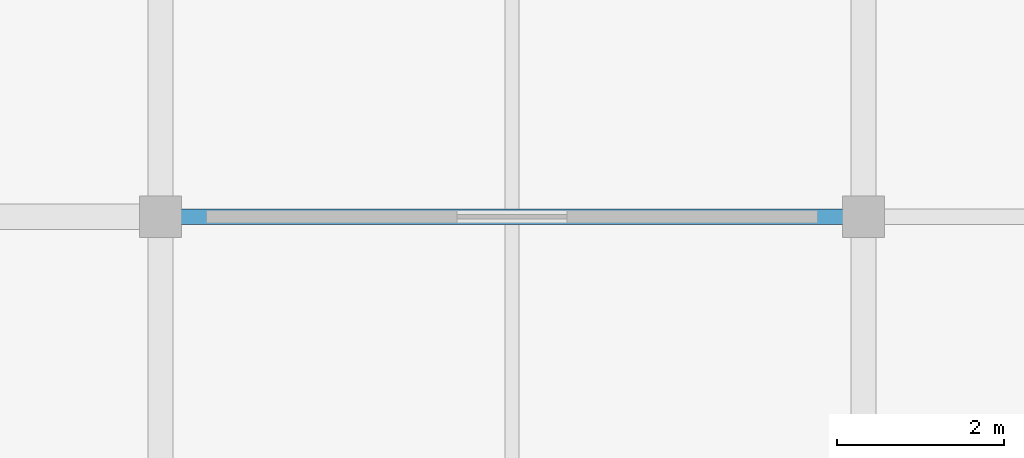
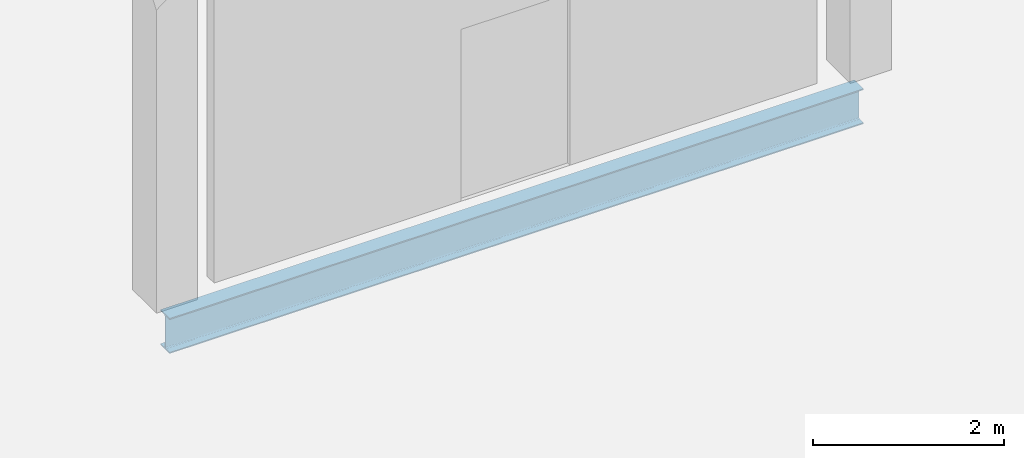
# One storey, part 78 of 109: 1 beam.
"""IFC4 building model written with IfcOpenShell, lengths in metres."""

from ifc_helpers import new_model, si_unit, direction, frame, origin, origin_2d, place, context, subcontext, project, spatial, i_section, extrude, material, material_profile, profile_set, type_object, element, save


model = new_model("IFC4")

# Units and contexts
model_context = context("Model", 3, precision=1e-05, world=origin(), true_north=direction((0.0, 1.0)))
body_context = subcontext(model_context, "Body", "Model", "MODEL_VIEW")
ifc_project = project(units=[si_unit("LENGTHUNIT", "METRE"), si_unit("AREAUNIT", "SQUARE_METRE"), si_unit("VOLUMEUNIT", "CUBIC_METRE"), si_unit("PLANEANGLEUNIT", "RADIAN"), si_unit("MASSUNIT", "GRAM", prefix="KILO")], contexts=[model_context])

# Site, building, storey
site_placement = place(None, origin())
site = spatial("IfcSite", under=ifc_project, at=site_placement, CompositionType="ELEMENT")
building_placement = place(site_placement, origin())
building = spatial("IfcBuilding", under=site, at=building_placement, Name="Veltarok Museum of Natural Sciences", CompositionType="ELEMENT")
storey_placement = place(building_placement, frame((0.0, 0.0, 17.39990234375)))
storey = spatial("IfcBuildingStorey", under=building, at=storey_placement, Name="L03", CompositionType="ELEMENT", Elevation=17.39990234375)

# Beam
ifc_material = material(Name="Steel S355J2", Category="steel")
ifc_material_profile = material_profile(ifc_material, i_section(OverallWidth=0.18994140625, OverallDepth=0.449951171875, WebThickness=0.009521484375, FlangeThickness=0.0146484375, FilletRadius=0.02099609375, at=origin_2d()), Name="IPE 450")
ifc_profile_set = profile_set([ifc_material_profile], Name="Steel S355J2")
beam_type = type_object("IfcBeamType", Name="Laboratory Floor Girder IPE 450", PredefinedType="BEAM", material=ifc_profile_set)
beam_placement = place(storey_placement, frame((140.800048828125, 48.0, -0.474853515625), z_axis=(1.0, 0.0, 0.0), x_axis=(0.0, 1.0, 0.0)))
element("IfcBeam", 1, at=beam_placement, inside=storey, type_object=beam_type, Name="Beam BM-G05 L03 17-18/F", PredefinedType="BEAM", context=body_context, shape_type="SweptSolid", body=[
    extrude(i_section(OverallWidth=0.18994140625, OverallDepth=0.449951171875, WebThickness=0.009521484375, FlangeThickness=0.0146484375, FilletRadius=0.02099609375, at=origin_2d()), origin(), (0.0, 0.0, 1.0), 8.39990234375),
])

save(model, "model.ifc")
